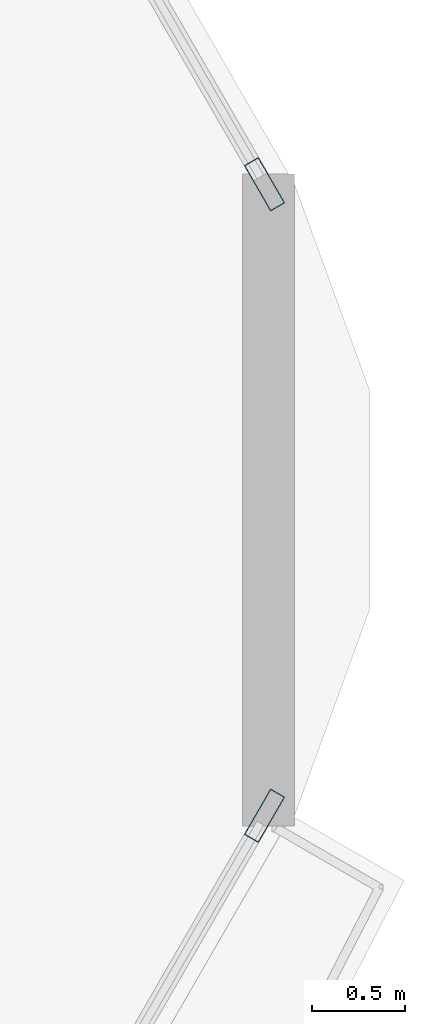
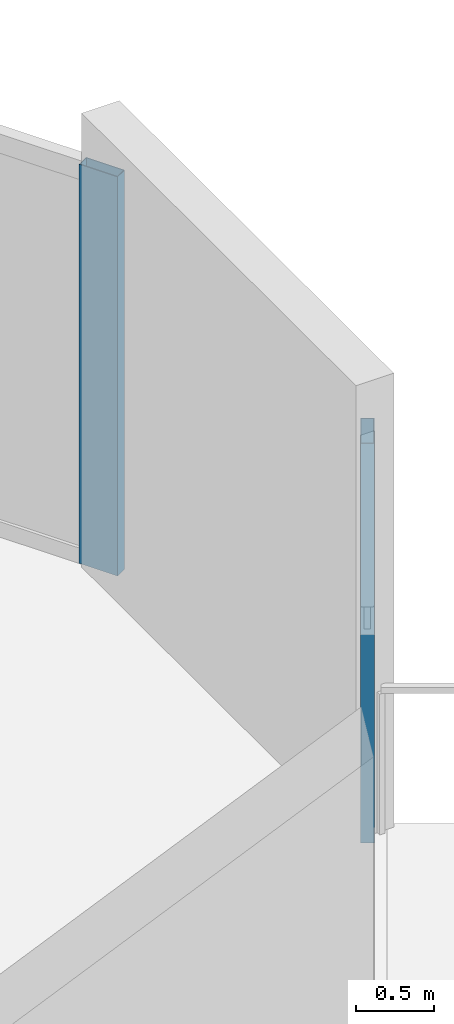
# One storey, part 21 of 32: 2 members, 2 elements without a shape of their own.
"""IFC4 building model written with IfcOpenShell, lengths in metres."""

from ifc_helpers import new_model, si_unit, direction, frame, origin, origin_2d, place, context, subcontext, project, spatial, hollow_rectangle, extrude, material, material_profile, profile_set, type_object, element, aggregate, save


model = new_model("IFC4")

# Units and contexts
model_context = context("Model", 3, precision=1e-05, world=origin(), true_north=direction((0.0, 1.0)))
body_context = subcontext(model_context, "Body", "Model", "MODEL_VIEW")
ifc_project = project(units=[si_unit("LENGTHUNIT", "METRE"), si_unit("AREAUNIT", "SQUARE_METRE"), si_unit("VOLUMEUNIT", "CUBIC_METRE"), si_unit("PLANEANGLEUNIT", "RADIAN"), si_unit("MASSUNIT", "GRAM", prefix="KILO")], contexts=[model_context])

# Site, building, storey
site_placement = place(None, origin())
site = spatial("IfcSite", under=ifc_project, at=site_placement, CompositionType="ELEMENT")
building_placement = place(site_placement, origin())
building = spatial("IfcBuilding", under=site, at=building_placement, Name="Zuhravey Tower", CompositionType="ELEMENT")
storey_placement = place(building_placement, frame((0.0, 0.0, 119.0)))
storey = spatial("IfcBuildingStorey", under=building, at=storey_placement, Name="L29", CompositionType="ELEMENT", Elevation=119.0)

# Curtain wall, member
ifc_material_1 = material(Name="Thermally broken anodised aluminium", Category="aluminium")
curtain_wall_type = type_object("IfcCurtainWallType", Name="Zone 1-2 Residential Curtain Wall CW3", PredefinedType="NOTDEFINED", material=ifc_material_1)
curtain_wall_1_placement = place(storey_placement, origin())
curtain_wall_1 = element("IfcCurtainWall", 1, at=curtain_wall_1_placement, inside=storey, type_object=curtain_wall_type, Name="L29 CW3 CW-L29-F6-1", PredefinedType="NOTDEFINED")
ifc_material_2 = material(Name="Anodised aluminium", Category="aluminium")
ifc_material_profile = material_profile(ifc_material_2, hollow_rectangle(XDim=0.090087890625, YDim=0.284912109375, WallThickness=0.0048828125, at=origin_2d()), Name="ALU-RHS-90x285x5")
ifc_profile_set = profile_set([ifc_material_profile], Name="Anodised aluminium")
member_type = type_object("IfcMemberType", Name="Curtain-Wall Mullion 90x180", PredefinedType="MULLION", material=ifc_profile_set)
member_1_placement = place(storey_placement, frame((68.4560546875, 30.298583984375, 0.0), z_axis=(0.0, 0.0, 1.0), x_axis=(0.866026097028, -0.499998799264, 0.0)))
member_1 = element("IfcMember", 2, at=member_1_placement, type_object=member_type, Name="CW3 mullion 1", PredefinedType="MULLION", context=body_context, shape_type="SweptSolid", body=[
    extrude(hollow_rectangle(XDim=0.090087890625, YDim=0.284912109375, WallThickness=0.0048828125, at=origin_2d()), origin(), (0.0, 0.0, 1.0), 3.1220703125),
])
aggregate(curtain_wall_1, [member_1])

curtain_wall_2_placement = place(storey_placement, origin())
curtain_wall_2 = element("IfcCurtainWall", 3, at=curtain_wall_2_placement, inside=storey, type_object=curtain_wall_type, Name="L29 CW3 CW-L29-F1-1", PredefinedType="NOTDEFINED")
member_2_placement = place(storey_placement, frame((68.4560546875, 33.701416015625, 0.0), z_axis=(0.0, 0.0, 1.0), x_axis=(0.86602552265, 0.499999794119, 0.0)))
member_2 = element("IfcMember", 4, at=member_2_placement, type_object=member_type, Name="CW3 mullion 6", PredefinedType="MULLION", context=body_context, shape_type="SweptSolid", body=[
    extrude(hollow_rectangle(XDim=0.090087890625, YDim=0.284912109375, WallThickness=0.0048828125, at=origin_2d()), origin(), (0.0, 0.0, 1.0), 3.1220703125),
])
aggregate(curtain_wall_2, [member_2])

save(model, "model.ifc")
